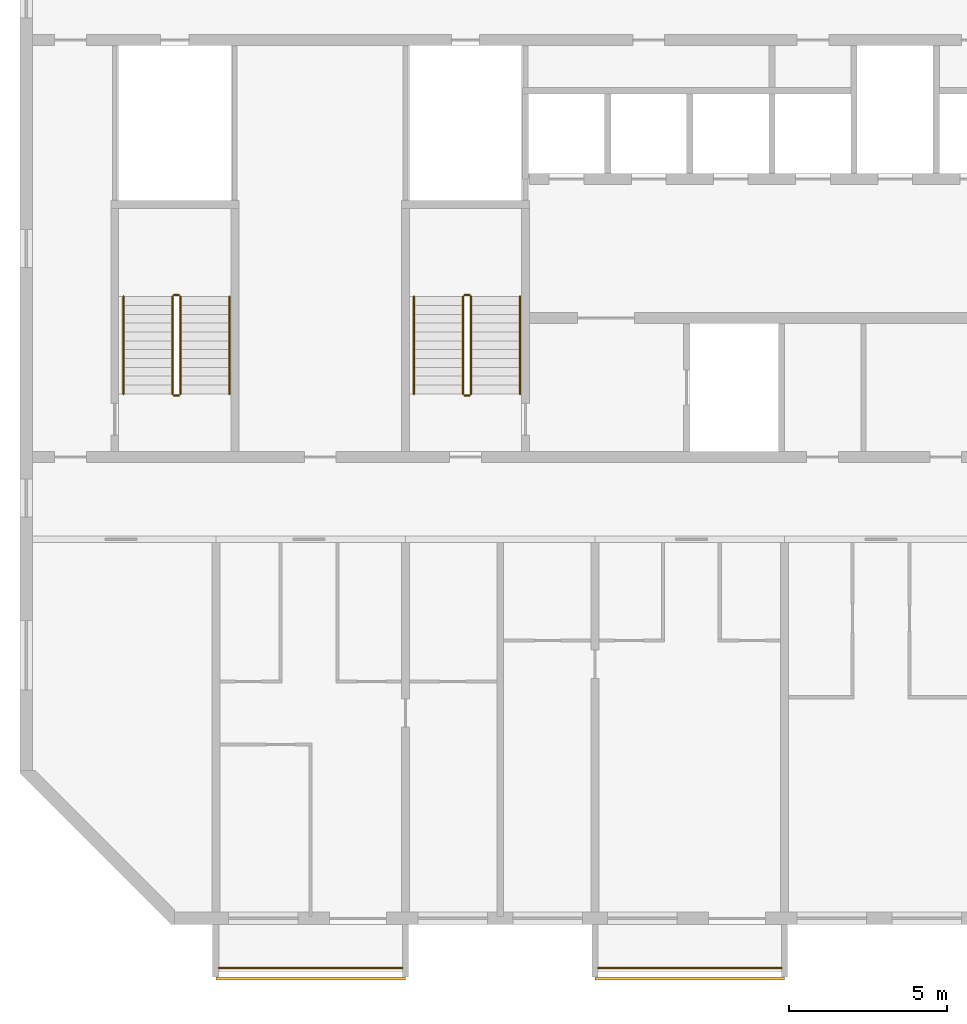
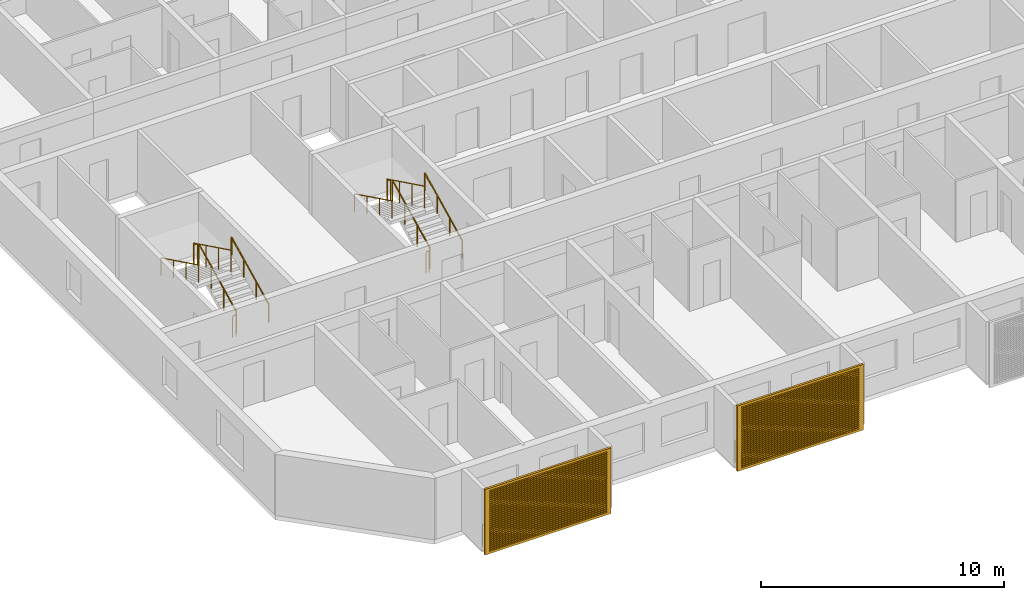
# One storey, part 13 of 27: 14 railings, 2 shading devices.
"""IFC4 building model written with IfcOpenShell, lengths in metres."""

import ifcopenshell
import ifcopenshell.guid

model = None  # the IFC model being written
_history = None  # IfcOwnerHistory: only IFC2X3 demands one
_inside = {}  # id of a spatial element -> (the spatial element, [elements in it])
_under = {}  # id of a project, library or spatial element -> (it, [spatial elements below it])
_declared = {}  # id of a project -> (the project, [libraries it declares])
_typed = {}  # id of a type object -> (the type object, [elements of that type])
_made_of = {}  # id of a material, layer set ... -> (it, [elements and type objects made of it])


def new_model(schema):
    """Start an empty IFC model of exactly this schema.

    Asked for "IFC4X3", IfcOpenShell would pick the latest addendum, in which some entities
    have other attributes; the version numbers below select the first issue.
    IFC2X3 requires an IfcOwnerHistory on every rooted entity: one is made here for all.
    """
    global model, _history
    if schema == "IFC4X3":
        model = ifcopenshell.file(schema_version=(4, 3, 0, 0))
    else:
        model = ifcopenshell.file(schema=schema)
    _inside.clear()
    _under.clear()
    _declared.clear()
    _typed.clear()
    _made_of.clear()
    _history = None
    if model.schema == "IFC2X3":
        org = make("IfcOrganization", Name="unknown")
        user = make(
            "IfcPersonAndOrganization",
            ThePerson=make("IfcPerson", FamilyName="unknown"),
            TheOrganization=org,
        )
        app = make(
            "IfcApplication",
            ApplicationDeveloper=org,
            Version="unknown",
            ApplicationFullName="unknown",
            ApplicationIdentifier="unknown",
        )
        _history = make(
            "IfcOwnerHistory",
            OwningUser=user,
            OwningApplication=app,
            ChangeAction="ADDED",
            CreationDate=0,
        )
    return model


def make(cls, **values):
    """One entity of the class cls with the attributes given. An attribute that is None is left unset."""
    return model.create_entity(
        cls, **{name: value for name, value in values.items() if value is not None}
    )


def rooted(cls, **values):
    """An entity with a GlobalId (a new one), such as an element, a storey or a relation."""
    return make(cls, GlobalId=ifcopenshell.guid.new(), OwnerHistory=_history, **values)


def si_unit(unit_type, name, prefix=None):
    """IfcSIUnit, for example si_unit("LENGTHUNIT", "METRE", prefix="MILLI")."""
    return make("IfcSIUnit", UnitType=unit_type, Prefix=prefix, Name=name)


def assignment(units):
    """IfcUnitAssignment: the units of a project."""
    return None if units is None else make("IfcUnitAssignment", Units=units)


def point(xyz):
    """IfcCartesianPoint."""
    return None if xyz is None else make("IfcCartesianPoint", Coordinates=xyz)


def direction(xyz):
    """IfcDirection."""
    return None if xyz is None else make("IfcDirection", DirectionRatios=xyz)


def frame(location, z_axis=None, x_axis=None):
    """IfcAxis2Placement3D, a coordinate frame: its origin and axes. An axis left out is left unset."""
    return make(
        "IfcAxis2Placement3D",
        Location=point(location),
        Axis=direction(z_axis),
        RefDirection=direction(x_axis),
    )


def frame_2d(location, x_axis=None):
    """IfcAxis2Placement2D, a coordinate frame in the plane: its origin and x axis."""
    return make(
        "IfcAxis2Placement2D", Location=point(location), RefDirection=direction(x_axis)
    )


def origin():
    """The frame at (0, 0, 0) with its axes left unset."""
    return frame((0.0, 0.0, 0.0))


def origin_2d():
    """The frame at (0, 0) in the plane with its x axis left unset."""
    return frame_2d((0.0, 0.0))


def place(relative_to, where):
    """IfcLocalPlacement: puts the frame where relative to a parent placement (None: the world)."""
    return make(
        "IfcLocalPlacement", PlacementRelTo=relative_to, RelativePlacement=where
    )


def context(
    kind, dimensions, precision=None, world=None, true_north=None, identifier=None
):
    """IfcGeometricRepresentationContext, for example the 3D "Model" context."""
    return make(
        "IfcGeometricRepresentationContext",
        ContextIdentifier=identifier,
        ContextType=kind,
        CoordinateSpaceDimension=dimensions,
        Precision=precision,
        WorldCoordinateSystem=world,
        TrueNorth=true_north,
    )


def subcontext(parent, identifier, kind, view, scale=None):
    """IfcGeometricRepresentationSubContext, for example "Body" below "Model"."""
    return make(
        "IfcGeometricRepresentationSubContext",
        ContextIdentifier=identifier,
        ContextType=kind,
        ParentContext=parent,
        TargetScale=scale,
        TargetView=view,
    )


def project(units=None, contexts=None):
    """IfcProject with its units and contexts."""
    return rooted(
        "IfcProject",
        Name="project",
        RepresentationContexts=contexts,
        UnitsInContext=assignment(units),
    )


def spatial(cls, under=None, at=None, **own):
    """A site, building, storey or space (cls), placed at a placement, below another one or the project."""
    s = rooted(cls, ObjectPlacement=at, **own)
    if under is not None:
        _under.setdefault(under.id(), (under, []))[1].append(s)
    return s


def polyline(points):
    """IfcPolyline through the points."""
    return make("IfcPolyline", Points=[point(p) for p in points])


def profile(cls, at=None, kind="AREA", **sizes):
    """A parametric profile (cls). Its sizes go by their IFC names, for example OverallWidth=200.0."""
    return make(cls, ProfileType=kind, Position=at, **sizes)


def circle(**sizes):
    """IfcCircleProfileDef."""
    return profile("IfcCircleProfileDef", **sizes)


def outline(outer, holes=None, kind="AREA"):
    """IfcArbitraryClosedProfileDef: a profile drawn as a closed curve; with holes, ...WithVoids."""
    if holes is None:
        return make("IfcArbitraryClosedProfileDef", ProfileType=kind, OuterCurve=outer)
    return make(
        "IfcArbitraryProfileDefWithVoids",
        ProfileType=kind,
        OuterCurve=outer,
        InnerCurves=holes,
    )


def extrude(swept, where, along, depth):
    """IfcExtrudedAreaSolid: the profile swept, set in the frame where, extruded along a direction by depth."""
    return make(
        "IfcExtrudedAreaSolid",
        SweptArea=swept,
        Position=where,
        ExtrudedDirection=direction(along),
        Depth=depth,
    )


def shape(context_of_items, identifier, shape_type, items):
    """IfcShapeRepresentation: the items that make up one representation, for example the "Body"."""
    return make(
        "IfcShapeRepresentation",
        ContextOfItems=context_of_items,
        RepresentationIdentifier=identifier,
        RepresentationType=shape_type,
        Items=items,
    )


def source(mapping_origin, context_of_items, identifier, shape_type, items):
    """IfcRepresentationMap: a shape defined once, which mapped items show again and again."""
    return make(
        "IfcRepresentationMap",
        MappingOrigin=mapping_origin,
        MappedRepresentation=shape(context_of_items, identifier, shape_type, items),
    )


def transform(
    local_origin,
    x_axis=None,
    y_axis=None,
    z_axis=None,
    scale=None,
    scale2=None,
    scale3=None,
    uniform=True,
):
    """IfcCartesianTransformationOperator3D, or its non-uniform kind. x_axis, y_axis, z_axis: its Axis1, 2, 3."""
    if uniform:
        return make(
            "IfcCartesianTransformationOperator3D",
            Axis1=direction(x_axis),
            Axis2=direction(y_axis),
            LocalOrigin=point(local_origin),
            Scale=scale,
            Axis3=direction(z_axis),
        )
    return make(
        "IfcCartesianTransformationOperator3DnonUniform",
        Axis1=direction(x_axis),
        Axis2=direction(y_axis),
        LocalOrigin=point(local_origin),
        Scale=scale,
        Axis3=direction(z_axis),
        Scale2=scale2,
        Scale3=scale3,
    )


def mapped(mapping_source, mapping_target):
    """IfcMappedItem: shows the shape of a source again, moved by a transform."""
    return make(
        "IfcMappedItem", MappingSource=mapping_source, MappingTarget=mapping_target
    )


def material(Name=None, Category=None):
    """IfcMaterial."""
    return make("IfcMaterial", Name=Name, Category=Category)


def material_profile(
    of_material, cross_section, Name=None, Category=None, Priority=None
):
    """IfcMaterialProfile: a cross section and its material."""
    return make(
        "IfcMaterialProfile",
        Name=Name,
        Material=of_material,
        Profile=cross_section,
        Priority=Priority,
        Category=Category,
    )


def profile_set(profiles, Name=None, composite=None):
    """IfcMaterialProfileSet."""
    return make(
        "IfcMaterialProfileSet",
        Name=Name,
        MaterialProfiles=profiles,
        CompositeProfile=composite,
    )


def made_of(thing, what):
    """Note that an element or type object is made of a material, layer set ...; save() writes the relation."""
    if what is not None:
        _made_of.setdefault(what.id(), (what, []))[1].append(thing)
    return thing


def type_object(cls, material=None, **own):
    """A type object (cls), such as IfcWallType, which elements share."""
    return made_of(rooted(cls, **own), material)


def element(
    cls,
    number,
    at=None,
    inside=None,
    cuts=None,
    type_object=None,
    material=None,
    context=None,
    identifier="Body",
    shape_type=None,
    held_by="IfcProductDefinitionShape",
    body=None,
    shapes=None,
    **own,
):
    """One element of the class cls, such as IfcWall. Its Tag is "e" and its number.

    at: its placement. inside: the storey or other place that contains it. cuts: it is an
    opening in that element (IfcRelVoidsElement). A single representation is given by context,
    identifier, shape_type and body (its items); several are given by shapes. held_by: the class
    of the entity that holds the representations. save() writes the other relations.
    """
    e = rooted(cls, Tag="e%d" % number, ObjectPlacement=at, **own)
    if body is not None:
        shapes = [shape(context, identifier, shape_type, body)]
    if shapes is not None:
        e.Representation = make(held_by, Representations=shapes)
    if inside is not None:
        _inside.setdefault(inside.id(), (inside, []))[1].append(e)
    if cuts is not None:
        rooted(
            "IfcRelVoidsElement", RelatingBuildingElement=cuts, RelatedOpeningElement=e
        )
    if type_object is not None:
        _typed.setdefault(type_object.id(), (type_object, []))[1].append(e)
    return made_of(e, material)


def aggregate(whole, parts):
    """IfcRelAggregates: a whole, such as a stair, and the parts it consists of."""
    return rooted("IfcRelAggregates", RelatingObject=whole, RelatedObjects=parts)


def save(model, path):
    """Write the relations noted so far, then the file.

    IfcRelAggregates (storeys below a building ...), IfcRelContainedInSpatialStructure (elements
    in a storey), IfcRelDefinesByType, IfcRelAssociatesMaterial and IfcRelDeclares: one each for
    every whole, place, type object, material and project.
    """
    for whole, parts in _under.values():
        aggregate(whole, parts)
    for where, things in _inside.values():
        rooted(
            "IfcRelContainedInSpatialStructure",
            RelatedElements=things,
            RelatingStructure=where,
        )
    for kind, things in _typed.values():
        rooted("IfcRelDefinesByType", RelatedObjects=things, RelatingType=kind)
    for what, things in _made_of.values():
        rooted("IfcRelAssociatesMaterial", RelatedObjects=things, RelatingMaterial=what)
    for by, libraries in _declared.values():
        rooted("IfcRelDeclares", RelatingContext=by, RelatedDefinitions=libraries)
    model.write(path)


model = new_model("IFC4")

# Units and contexts
model_context = context("Model", 3, precision=1e-05, world=origin(), true_north=direction((0.0, 1.0)))
body_context = subcontext(model_context, "Body", "Model", "MODEL_VIEW")
ifc_project = project(units=[si_unit("LENGTHUNIT", "METRE"), si_unit("AREAUNIT", "SQUARE_METRE"), si_unit("VOLUMEUNIT", "CUBIC_METRE"), si_unit("PLANEANGLEUNIT", "RADIAN"), si_unit("MASSUNIT", "GRAM", prefix="KILO")], contexts=[model_context])

# Site, building, storey
site_placement = place(None, origin())
site = spatial("IfcSite", under=ifc_project, at=site_placement, CompositionType="ELEMENT")
building_placement = place(site_placement, origin())
building = spatial("IfcBuilding", under=site, at=building_placement, Name="Poui Terraces", CompositionType="ELEMENT")
storey_placement = place(building_placement, frame((0.0, 0.0, 254.39990234375)))
storey = spatial("IfcBuildingStorey", under=building, at=storey_placement, Name="L71", CompositionType="ELEMENT", Elevation=254.39990234375)

# Railings
ifc_material_1 = material(Name="Painted steel fretwork", Category="steel")
railing_type_1 = type_object("IfcRailingType", Name="BALCONY GUARD 1100", PredefinedType="GUARDRAIL", material=ifc_material_1)
for number, where, name in (
    (1, (24.10009765625, -1.570068359375, 0.0), "BALCONY GUARD"),
    (2, (36.10009765625, -1.570068359375, 0.0), "BALCONY GUARD"),
):
    element("IfcRailing", number, at=place(storey_placement, frame(where)), inside=storey, type_object=railing_type_1, Name=name, PredefinedType="GUARDRAIL", context=body_context, shape_type="SweptSolid", body=[
        extrude(circle(Radius=0.02392578125, at=origin_2d()), frame((0.0, 0.0, 1.076171875), z_axis=(1.0, 0.0, 0.0), x_axis=(0.0, 1.0, 0.0)), (0.0, 0.0, 1.0), 5.7998046875),
        extrude(circle(Radius=0.02099609375, at=origin_2d()), origin(), (0.0, 0.0, 1.0), 1.052001953125),
        extrude(circle(Radius=0.02099609375, at=origin_2d()), frame((0.966552734375, 0.0, 0.0)), (0.0, 0.0, 1.0), 1.052001953125),
        extrude(circle(Radius=0.02099609375, at=origin_2d()), frame((1.933349609375, 0.0, 0.0)), (0.0, 0.0, 1.0), 1.052001953125),
        extrude(circle(Radius=0.02099609375, at=origin_2d()), frame((2.89990234375, 0.0, 0.0)), (0.0, 0.0, 1.0), 1.052001953125),
        extrude(circle(Radius=0.02099609375, at=origin_2d()), frame((3.866455078125, 0.0, 0.0)), (0.0, 0.0, 1.0), 1.052001953125),
        extrude(circle(Radius=0.02099609375, at=origin_2d()), frame((4.833251953125, 0.0, 0.0)), (0.0, 0.0, 1.0), 1.052001953125),
        extrude(circle(Radius=0.02099609375, at=origin_2d()), frame((5.7998046875, 0.0, 0.0)), (0.0, 0.0, 1.0), 1.052001953125),
    ])
ifc_material_2 = material(Name="Galvanised steel balustrade", Category="steel")
railing_type_2 = type_object("IfcRailingType", Name="STAIR GUARD 1100", PredefinedType="GUARDRAIL", material=ifc_material_2)
railing_1_placement = place(storey_placement, frame((32.074951171875, 16.60009765625, 0.1376953125)))
element("IfcRailing", 3, at=railing_1_placement, inside=storey, type_object=railing_type_2, Name="L71 ST-CW stair guard 1", PredefinedType="GUARDRAIL", context=body_context, shape_type="SweptSolid", body=[
    extrude(circle(Radius=0.02392578125, at=origin_2d()), frame((0.0, 0.0, 1.076171875), z_axis=(0.0, 0.897606190399, 0.440798283751), x_axis=(-1.0, 0.0, 0.0)), (0.0, 0.0, 1.0), 3.43115234375),
    extrude(circle(Radius=0.02099609375, at=origin_2d()), origin(), (0.0, 0.0, 1.0), 1.052001953125),
    extrude(circle(Radius=0.02099609375, at=origin_2d()), frame((0.0, 1.026611328125, 0.504150390625)), (0.0, 0.0, 1.0), 1.052001953125),
    extrude(circle(Radius=0.02099609375, at=origin_2d()), frame((0.0, 2.05322265625, 1.00830078125)), (0.0, 0.0, 1.0), 1.052001953125),
    extrude(circle(Radius=0.02099609375, at=origin_2d()), frame((0.0, 3.079833984375, 1.512451171875)), (0.0, 0.0, 1.0), 1.052001953125),
])
railing_2_placement = place(storey_placement, frame((32.02490234375, 19.72998046875, 1.650146484375)))
element("IfcRailing", 4, at=railing_2_placement, inside=storey, type_object=railing_type_2, Name="L71 ST-CW stair guard 2", PredefinedType="GUARDRAIL", context=body_context, shape_type="SweptSolid", body=[
    extrude(circle(Radius=0.02392578125, at=origin_2d()), frame((0.0, 0.0, 1.076171875), z_axis=(-1.0, 0.0, 0.0), x_axis=(0.0, -1.0, 0.0)), (0.0, 0.0, 1.0), 0.14990234375),
    extrude(circle(Radius=0.02099609375, at=origin_2d()), origin(), (0.0, 0.0, 1.0), 1.052001953125),
    extrude(circle(Radius=0.02099609375, at=origin_2d()), frame((-0.14990234375, 0.0, 0.0)), (0.0, 0.0, 1.0), 1.052001953125),
])
railing_3_placement = place(storey_placement, frame((31.824951171875, 19.679931640625, 1.78759765625)))
element("IfcRailing", 5, at=railing_3_placement, inside=storey, type_object=railing_type_2, Name="L71 ST-CW stair guard 3", PredefinedType="GUARDRAIL", context=body_context, shape_type="SweptSolid", body=[
    extrude(circle(Radius=0.02392578125, at=origin_2d()), frame((0.0, 0.0, 1.076171875), z_axis=(0.0, -0.897606190399, 0.440798283751), x_axis=(1.0, 0.0, 0.0)), (0.0, 0.0, 1.0), 3.43115234375),
    extrude(circle(Radius=0.02099609375, at=origin_2d()), origin(), (0.0, 0.0, 1.0), 1.052001953125),
    extrude(circle(Radius=0.02099609375, at=origin_2d()), frame((0.0, -1.026611328125, 0.504150390625)), (0.0, 0.0, 1.0), 1.052001953125),
    extrude(circle(Radius=0.02099609375, at=origin_2d()), frame((0.0, -2.05322265625, 1.00830078125)), (0.0, 0.0, 1.0), 1.052001953125),
    extrude(circle(Radius=0.02099609375, at=origin_2d()), frame((0.0, -3.079833984375, 1.512451171875)), (0.0, 0.0, 1.0), 1.052001953125),
])
railing_4_placement = place(storey_placement, frame((32.02490234375, 16.550048828125, 0.0)))
element("IfcRailing", 6, at=railing_4_placement, inside=storey, type_object=railing_type_2, Name="L71 ST-CW stair guard 4", PredefinedType="GUARDRAIL", context=body_context, shape_type="SweptSolid", body=[
    extrude(circle(Radius=0.02392578125, at=origin_2d()), frame((0.0, 0.0, 1.076171875), z_axis=(-1.0, 0.0, 0.0), x_axis=(0.0, -1.0, 0.0)), (0.0, 0.0, 1.0), 0.14990234375),
    extrude(circle(Radius=0.02099609375, at=origin_2d()), origin(), (0.0, 0.0, 1.0), 1.052001953125),
    extrude(circle(Radius=0.02099609375, at=origin_2d()), frame((-0.14990234375, 0.0, 0.0)), (0.0, 0.0, 1.0), 1.052001953125),
])
railing_5_placement = place(storey_placement, frame((22.875, 16.60009765625, 0.1376953125)))
element("IfcRailing", 7, at=railing_5_placement, inside=storey, type_object=railing_type_2, Name="L71 ST-W stair guard 1", PredefinedType="GUARDRAIL", context=body_context, shape_type="SweptSolid", body=[
    extrude(circle(Radius=0.02392578125, at=origin_2d()), frame((0.0, 0.0, 1.076171875), z_axis=(0.0, 0.897606190399, 0.440798283751), x_axis=(-1.0, 0.0, 0.0)), (0.0, 0.0, 1.0), 3.43115234375),
    extrude(circle(Radius=0.02099609375, at=origin_2d()), origin(), (0.0, 0.0, 1.0), 1.052001953125),
    extrude(circle(Radius=0.02099609375, at=origin_2d()), frame((0.0, 1.026611328125, 0.504150390625)), (0.0, 0.0, 1.0), 1.052001953125),
    extrude(circle(Radius=0.02099609375, at=origin_2d()), frame((0.0, 2.05322265625, 1.00830078125)), (0.0, 0.0, 1.0), 1.052001953125),
    extrude(circle(Radius=0.02099609375, at=origin_2d()), frame((0.0, 3.079833984375, 1.512451171875)), (0.0, 0.0, 1.0), 1.052001953125),
])
railing_6_placement = place(storey_placement, frame((22.824951171875, 19.72998046875, 1.650146484375)))
element("IfcRailing", 8, at=railing_6_placement, inside=storey, type_object=railing_type_2, Name="L71 ST-W stair guard 2", PredefinedType="GUARDRAIL", context=body_context, shape_type="SweptSolid", body=[
    extrude(circle(Radius=0.02392578125, at=origin_2d()), frame((0.0, 0.0, 1.076171875), z_axis=(-1.0, 0.0, 0.0), x_axis=(0.0, -1.0, 0.0)), (0.0, 0.0, 1.0), 0.14990234375),
    extrude(circle(Radius=0.02099609375, at=origin_2d()), origin(), (0.0, 0.0, 1.0), 1.052001953125),
    extrude(circle(Radius=0.02099609375, at=origin_2d()), frame((-0.14990234375, 0.0, 0.0)), (0.0, 0.0, 1.0), 1.052001953125),
])
railing_7_placement = place(storey_placement, frame((22.625, 19.679931640625, 1.78759765625)))
element("IfcRailing", 9, at=railing_7_placement, inside=storey, type_object=railing_type_2, Name="L71 ST-W stair guard 3", PredefinedType="GUARDRAIL", context=body_context, shape_type="SweptSolid", body=[
    extrude(circle(Radius=0.02392578125, at=origin_2d()), frame((0.0, 0.0, 1.076171875), z_axis=(0.0, -0.897606190399, 0.440798283751), x_axis=(1.0, 0.0, 0.0)), (0.0, 0.0, 1.0), 3.43115234375),
    extrude(circle(Radius=0.02099609375, at=origin_2d()), origin(), (0.0, 0.0, 1.0), 1.052001953125),
    extrude(circle(Radius=0.02099609375, at=origin_2d()), frame((0.0, -1.026611328125, 0.504150390625)), (0.0, 0.0, 1.0), 1.052001953125),
    extrude(circle(Radius=0.02099609375, at=origin_2d()), frame((0.0, -2.05322265625, 1.00830078125)), (0.0, 0.0, 1.0), 1.052001953125),
    extrude(circle(Radius=0.02099609375, at=origin_2d()), frame((0.0, -3.079833984375, 1.512451171875)), (0.0, 0.0, 1.0), 1.052001953125),
])
railing_8_placement = place(storey_placement, frame((22.824951171875, 16.550048828125, 0.0)))
element("IfcRailing", 10, at=railing_8_placement, inside=storey, type_object=railing_type_2, Name="L71 ST-W stair guard 4", PredefinedType="GUARDRAIL", context=body_context, shape_type="SweptSolid", body=[
    extrude(circle(Radius=0.02392578125, at=origin_2d()), frame((0.0, 0.0, 1.076171875), z_axis=(-1.0, 0.0, 0.0), x_axis=(0.0, -1.0, 0.0)), (0.0, 0.0, 1.0), 0.14990234375),
    extrude(circle(Radius=0.02099609375, at=origin_2d()), origin(), (0.0, 0.0, 1.0), 1.052001953125),
    extrude(circle(Radius=0.02099609375, at=origin_2d()), frame((-0.14990234375, 0.0, 0.0)), (0.0, 0.0, 1.0), 1.052001953125),
])
ifc_material_3 = material(Name="Stainless steel handrail", Category="steel")
railing_type_3 = type_object("IfcRailingType", Name="STAIR HANDRAIL 900", PredefinedType="HANDRAIL", material=ifc_material_3)
railing_9_placement = place(storey_placement, frame((33.625, 16.60009765625, 0.1376953125)))
element("IfcRailing", 11, at=railing_9_placement, inside=storey, type_object=railing_type_3, Name="L71 ST-CW stair handrail 1", PredefinedType="HANDRAIL", context=body_context, shape_type="SweptSolid", body=[
    extrude(circle(Radius=0.02392578125, at=origin_2d()), frame((0.0, 0.0, 0.8759765625), z_axis=(0.0, 0.897606190399, 0.440798283751), x_axis=(-1.0, 0.0, 0.0)), (0.0, 0.0, 1.0), 3.43115234375),
    extrude(circle(Radius=0.02099609375, at=origin_2d()), origin(), (0.0, 0.0, 1.0), 0.851806640625),
    extrude(circle(Radius=0.02099609375, at=origin_2d()), frame((0.0, 1.026611328125, 0.504150390625)), (0.0, 0.0, 1.0), 0.851806640625),
    extrude(circle(Radius=0.02099609375, at=origin_2d()), frame((0.0, 2.05322265625, 1.00830078125)), (0.0, 0.0, 1.0), 0.851806640625),
    extrude(circle(Radius=0.02099609375, at=origin_2d()), frame((0.0, 3.079833984375, 1.512451171875)), (0.0, 0.0, 1.0), 0.851806640625),
])
railing_10_placement = place(storey_placement, frame((30.27490234375, 19.679931640625, 1.78759765625)))
element("IfcRailing", 12, at=railing_10_placement, inside=storey, type_object=railing_type_3, Name="L71 ST-CW stair handrail 2", PredefinedType="HANDRAIL", context=body_context, shape_type="SweptSolid", body=[
    extrude(circle(Radius=0.02392578125, at=origin_2d()), frame((0.0, 0.0, 0.8759765625), z_axis=(0.0, -0.897606190399, 0.440798283751), x_axis=(1.0, 0.0, 0.0)), (0.0, 0.0, 1.0), 3.43115234375),
    extrude(circle(Radius=0.02099609375, at=origin_2d()), origin(), (0.0, 0.0, 1.0), 0.851806640625),
    extrude(circle(Radius=0.02099609375, at=origin_2d()), frame((0.0, -1.026611328125, 0.504150390625)), (0.0, 0.0, 1.0), 0.851806640625),
    extrude(circle(Radius=0.02099609375, at=origin_2d()), frame((0.0, -2.05322265625, 1.00830078125)), (0.0, 0.0, 1.0), 0.851806640625),
    extrude(circle(Radius=0.02099609375, at=origin_2d()), frame((0.0, -3.079833984375, 1.512451171875)), (0.0, 0.0, 1.0), 0.851806640625),
])
railing_11_placement = place(storey_placement, frame((24.425048828125, 16.60009765625, 0.1376953125)))
element("IfcRailing", 13, at=railing_11_placement, inside=storey, type_object=railing_type_3, Name="L71 ST-W stair handrail 1", PredefinedType="HANDRAIL", context=body_context, shape_type="SweptSolid", body=[
    extrude(circle(Radius=0.02392578125, at=origin_2d()), frame((0.0, 0.0, 0.8759765625), z_axis=(0.0, 0.897606190399, 0.440798283751), x_axis=(-1.0, 0.0, 0.0)), (0.0, 0.0, 1.0), 3.43115234375),
    extrude(circle(Radius=0.02099609375, at=origin_2d()), origin(), (0.0, 0.0, 1.0), 0.851806640625),
    extrude(circle(Radius=0.02099609375, at=origin_2d()), frame((0.0, 1.026611328125, 0.504150390625)), (0.0, 0.0, 1.0), 0.851806640625),
    extrude(circle(Radius=0.02099609375, at=origin_2d()), frame((0.0, 2.05322265625, 1.00830078125)), (0.0, 0.0, 1.0), 0.851806640625),
    extrude(circle(Radius=0.02099609375, at=origin_2d()), frame((0.0, 3.079833984375, 1.512451171875)), (0.0, 0.0, 1.0), 0.851806640625),
])
railing_12_placement = place(storey_placement, frame((21.074951171875, 19.679931640625, 1.78759765625)))
element("IfcRailing", 14, at=railing_12_placement, inside=storey, type_object=railing_type_3, Name="L71 ST-W stair handrail 2", PredefinedType="HANDRAIL", context=body_context, shape_type="SweptSolid", body=[
    extrude(circle(Radius=0.02392578125, at=origin_2d()), frame((0.0, 0.0, 0.8759765625), z_axis=(0.0, -0.897606190399, 0.440798283751), x_axis=(1.0, 0.0, 0.0)), (0.0, 0.0, 1.0), 3.43115234375),
    extrude(circle(Radius=0.02099609375, at=origin_2d()), origin(), (0.0, 0.0, 1.0), 0.851806640625),
    extrude(circle(Radius=0.02099609375, at=origin_2d()), frame((0.0, -1.026611328125, 0.504150390625)), (0.0, 0.0, 1.0), 0.851806640625),
    extrude(circle(Radius=0.02099609375, at=origin_2d()), frame((0.0, -2.05322265625, 1.00830078125)), (0.0, 0.0, 1.0), 0.851806640625),
    extrude(circle(Radius=0.02099609375, at=origin_2d()), frame((0.0, -3.079833984375, 1.512451171875)), (0.0, 0.0, 1.0), 0.851806640625),
])

# Shading devices
ifc_material_4 = material(Name="Aluminium louvre", Category="aluminium")
ifc_material_profile = material_profile(ifc_material_4, outline(polyline([(-3.0, -1.64990234375), (3.0, -1.64990234375), (3.0, 1.64990234375), (-3.0, 1.64990234375), (-3.0, -1.64990234375)]), holes=[polyline([(-2.800048828125, -1.530029296875), (2.800048828125, -1.530029296875), (2.800048828125, -1.469970703125), (-2.800048828125, -1.469970703125), (-2.800048828125, -1.530029296875)]), polyline([(-2.800048828125, -1.429931640625), (2.800048828125, -1.429931640625), (2.800048828125, -1.3701171875), (-2.800048828125, -1.3701171875), (-2.800048828125, -1.429931640625)]), polyline([(-2.800048828125, -1.330078125), (2.800048828125, -1.330078125), (2.800048828125, -1.27001953125), (-2.800048828125, -1.27001953125), (-2.800048828125, -1.330078125)]), polyline([(-2.800048828125, -1.22998046875), (2.800048828125, -1.22998046875), (2.800048828125, -1.169921875), (-2.800048828125, -1.169921875), (-2.800048828125, -1.22998046875)]), polyline([(-2.800048828125, -1.1298828125), (2.800048828125, -1.1298828125), (2.800048828125, -1.070068359375), (-2.800048828125, -1.070068359375), (-2.800048828125, -1.1298828125)]), polyline([(-2.800048828125, -1.030029296875), (2.800048828125, -1.030029296875), (2.800048828125, -0.969970703125), (-2.800048828125, -0.969970703125), (-2.800048828125, -1.030029296875)]), polyline([(-2.800048828125, -0.929931640625), (2.800048828125, -0.929931640625), (2.800048828125, -0.8701171875), (-2.800048828125, -0.8701171875), (-2.800048828125, -0.929931640625)]), polyline([(-2.800048828125, -0.830078125), (2.800048828125, -0.830078125), (2.800048828125, -0.77001953125), (-2.800048828125, -0.77001953125), (-2.800048828125, -0.830078125)]), polyline([(-2.800048828125, -0.72998046875), (2.800048828125, -0.72998046875), (2.800048828125, -0.669921875), (-2.800048828125, -0.669921875), (-2.800048828125, -0.72998046875)]), polyline([(-2.800048828125, -0.6298828125), (2.800048828125, -0.6298828125), (2.800048828125, -0.570068359375), (-2.800048828125, -0.570068359375), (-2.800048828125, -0.6298828125)]), polyline([(-2.800048828125, -0.530029296875), (2.800048828125, -0.530029296875), (2.800048828125, -0.469970703125), (-2.800048828125, -0.469970703125), (-2.800048828125, -0.530029296875)]), polyline([(-2.800048828125, -0.429931640625), (2.800048828125, -0.429931640625), (2.800048828125, -0.3701171875), (-2.800048828125, -0.3701171875), (-2.800048828125, -0.429931640625)]), polyline([(-2.800048828125, -0.330078125), (2.800048828125, -0.330078125), (2.800048828125, -0.27001953125), (-2.800048828125, -0.27001953125), (-2.800048828125, -0.330078125)]), polyline([(-2.800048828125, -0.22998046875), (2.800048828125, -0.22998046875), (2.800048828125, -0.169921875), (-2.800048828125, -0.169921875), (-2.800048828125, -0.22998046875)]), polyline([(-2.800048828125, -0.1298828125), (2.800048828125, -0.1298828125), (2.800048828125, -0.070068359375), (-2.800048828125, -0.070068359375), (-2.800048828125, -0.1298828125)]), polyline([(-2.800048828125, -0.030029296875), (2.800048828125, -0.030029296875), (2.800048828125, 0.030029296875), (-2.800048828125, 0.030029296875), (-2.800048828125, -0.030029296875)]), polyline([(-2.800048828125, 0.070068359375), (2.800048828125, 0.070068359375), (2.800048828125, 0.1298828125), (-2.800048828125, 0.1298828125), (-2.800048828125, 0.070068359375)]), polyline([(-2.800048828125, 0.169921875), (2.800048828125, 0.169921875), (2.800048828125, 0.22998046875), (-2.800048828125, 0.22998046875), (-2.800048828125, 0.169921875)]), polyline([(-2.800048828125, 0.27001953125), (2.800048828125, 0.27001953125), (2.800048828125, 0.330078125), (-2.800048828125, 0.330078125), (-2.800048828125, 0.27001953125)]), polyline([(-2.800048828125, 0.3701171875), (2.800048828125, 0.3701171875), (2.800048828125, 0.429931640625), (-2.800048828125, 0.429931640625), (-2.800048828125, 0.3701171875)]), polyline([(-2.800048828125, 0.469970703125), (2.800048828125, 0.469970703125), (2.800048828125, 0.530029296875), (-2.800048828125, 0.530029296875), (-2.800048828125, 0.469970703125)]), polyline([(-2.800048828125, 0.570068359375), (2.800048828125, 0.570068359375), (2.800048828125, 0.6298828125), (-2.800048828125, 0.6298828125), (-2.800048828125, 0.570068359375)]), polyline([(-2.800048828125, 0.669921875), (2.800048828125, 0.669921875), (2.800048828125, 0.72998046875), (-2.800048828125, 0.72998046875), (-2.800048828125, 0.669921875)]), polyline([(-2.800048828125, 0.77001953125), (2.800048828125, 0.77001953125), (2.800048828125, 0.830078125), (-2.800048828125, 0.830078125), (-2.800048828125, 0.77001953125)]), polyline([(-2.800048828125, 0.8701171875), (2.800048828125, 0.8701171875), (2.800048828125, 0.929931640625), (-2.800048828125, 0.929931640625), (-2.800048828125, 0.8701171875)]), polyline([(-2.800048828125, 0.969970703125), (2.800048828125, 0.969970703125), (2.800048828125, 1.030029296875), (-2.800048828125, 1.030029296875), (-2.800048828125, 0.969970703125)]), polyline([(-2.800048828125, 1.070068359375), (2.800048828125, 1.070068359375), (2.800048828125, 1.1298828125), (-2.800048828125, 1.1298828125), (-2.800048828125, 1.070068359375)]), polyline([(-2.800048828125, 1.169921875), (2.800048828125, 1.169921875), (2.800048828125, 1.22998046875), (-2.800048828125, 1.22998046875), (-2.800048828125, 1.169921875)]), polyline([(-2.800048828125, 1.27001953125), (2.800048828125, 1.27001953125), (2.800048828125, 1.330078125), (-2.800048828125, 1.330078125), (-2.800048828125, 1.27001953125)]), polyline([(-2.800048828125, 1.3701171875), (2.800048828125, 1.3701171875), (2.800048828125, 1.429931640625), (-2.800048828125, 1.429931640625), (-2.800048828125, 1.3701171875)]), polyline([(-2.800048828125, 1.469970703125), (2.800048828125, 1.469970703125), (2.800048828125, 1.530029296875), (-2.800048828125, 1.530029296875), (-2.800048828125, 1.469970703125)])]), Name="JALOUSIE LOUVRE SHUTTER 6000X3300")
ifc_profile_set = profile_set([ifc_material_profile], Name="Aluminium louvre")
shading_device_type = type_object("IfcShadingDeviceType", Name="JALOUSIE LOUVRE SHUTTER 6000X3300", PredefinedType="JALOUSIE", material=ifc_profile_set)
shared_shape = source(origin(), body_context, "Body", "SweptSolid", [
    extrude(outline(polyline([(-3.0, -1.64990234375), (3.0, -1.64990234375), (3.0, 1.64990234375), (-3.0, 1.64990234375), (-3.0, -1.64990234375)]), holes=[polyline([(-2.800048828125, -1.530029296875), (2.800048828125, -1.530029296875), (2.800048828125, -1.469970703125), (-2.800048828125, -1.469970703125), (-2.800048828125, -1.530029296875)]), polyline([(-2.800048828125, -1.429931640625), (2.800048828125, -1.429931640625), (2.800048828125, -1.3701171875), (-2.800048828125, -1.3701171875), (-2.800048828125, -1.429931640625)]), polyline([(-2.800048828125, -1.330078125), (2.800048828125, -1.330078125), (2.800048828125, -1.27001953125), (-2.800048828125, -1.27001953125), (-2.800048828125, -1.330078125)]), polyline([(-2.800048828125, -1.22998046875), (2.800048828125, -1.22998046875), (2.800048828125, -1.169921875), (-2.800048828125, -1.169921875), (-2.800048828125, -1.22998046875)]), polyline([(-2.800048828125, -1.1298828125), (2.800048828125, -1.1298828125), (2.800048828125, -1.070068359375), (-2.800048828125, -1.070068359375), (-2.800048828125, -1.1298828125)]), polyline([(-2.800048828125, -1.030029296875), (2.800048828125, -1.030029296875), (2.800048828125, -0.969970703125), (-2.800048828125, -0.969970703125), (-2.800048828125, -1.030029296875)]), polyline([(-2.800048828125, -0.929931640625), (2.800048828125, -0.929931640625), (2.800048828125, -0.8701171875), (-2.800048828125, -0.8701171875), (-2.800048828125, -0.929931640625)]), polyline([(-2.800048828125, -0.830078125), (2.800048828125, -0.830078125), (2.800048828125, -0.77001953125), (-2.800048828125, -0.77001953125), (-2.800048828125, -0.830078125)]), polyline([(-2.800048828125, -0.72998046875), (2.800048828125, -0.72998046875), (2.800048828125, -0.669921875), (-2.800048828125, -0.669921875), (-2.800048828125, -0.72998046875)]), polyline([(-2.800048828125, -0.6298828125), (2.800048828125, -0.6298828125), (2.800048828125, -0.570068359375), (-2.800048828125, -0.570068359375), (-2.800048828125, -0.6298828125)]), polyline([(-2.800048828125, -0.530029296875), (2.800048828125, -0.530029296875), (2.800048828125, -0.469970703125), (-2.800048828125, -0.469970703125), (-2.800048828125, -0.530029296875)]), polyline([(-2.800048828125, -0.429931640625), (2.800048828125, -0.429931640625), (2.800048828125, -0.3701171875), (-2.800048828125, -0.3701171875), (-2.800048828125, -0.429931640625)]), polyline([(-2.800048828125, -0.330078125), (2.800048828125, -0.330078125), (2.800048828125, -0.27001953125), (-2.800048828125, -0.27001953125), (-2.800048828125, -0.330078125)]), polyline([(-2.800048828125, -0.22998046875), (2.800048828125, -0.22998046875), (2.800048828125, -0.169921875), (-2.800048828125, -0.169921875), (-2.800048828125, -0.22998046875)]), polyline([(-2.800048828125, -0.1298828125), (2.800048828125, -0.1298828125), (2.800048828125, -0.070068359375), (-2.800048828125, -0.070068359375), (-2.800048828125, -0.1298828125)]), polyline([(-2.800048828125, -0.030029296875), (2.800048828125, -0.030029296875), (2.800048828125, 0.030029296875), (-2.800048828125, 0.030029296875), (-2.800048828125, -0.030029296875)]), polyline([(-2.800048828125, 0.070068359375), (2.800048828125, 0.070068359375), (2.800048828125, 0.1298828125), (-2.800048828125, 0.1298828125), (-2.800048828125, 0.070068359375)]), polyline([(-2.800048828125, 0.169921875), (2.800048828125, 0.169921875), (2.800048828125, 0.22998046875), (-2.800048828125, 0.22998046875), (-2.800048828125, 0.169921875)]), polyline([(-2.800048828125, 0.27001953125), (2.800048828125, 0.27001953125), (2.800048828125, 0.330078125), (-2.800048828125, 0.330078125), (-2.800048828125, 0.27001953125)]), polyline([(-2.800048828125, 0.3701171875), (2.800048828125, 0.3701171875), (2.800048828125, 0.429931640625), (-2.800048828125, 0.429931640625), (-2.800048828125, 0.3701171875)]), polyline([(-2.800048828125, 0.469970703125), (2.800048828125, 0.469970703125), (2.800048828125, 0.530029296875), (-2.800048828125, 0.530029296875), (-2.800048828125, 0.469970703125)]), polyline([(-2.800048828125, 0.570068359375), (2.800048828125, 0.570068359375), (2.800048828125, 0.6298828125), (-2.800048828125, 0.6298828125), (-2.800048828125, 0.570068359375)]), polyline([(-2.800048828125, 0.669921875), (2.800048828125, 0.669921875), (2.800048828125, 0.72998046875), (-2.800048828125, 0.72998046875), (-2.800048828125, 0.669921875)]), polyline([(-2.800048828125, 0.77001953125), (2.800048828125, 0.77001953125), (2.800048828125, 0.830078125), (-2.800048828125, 0.830078125), (-2.800048828125, 0.77001953125)]), polyline([(-2.800048828125, 0.8701171875), (2.800048828125, 0.8701171875), (2.800048828125, 0.929931640625), (-2.800048828125, 0.929931640625), (-2.800048828125, 0.8701171875)]), polyline([(-2.800048828125, 0.969970703125), (2.800048828125, 0.969970703125), (2.800048828125, 1.030029296875), (-2.800048828125, 1.030029296875), (-2.800048828125, 0.969970703125)]), polyline([(-2.800048828125, 1.070068359375), (2.800048828125, 1.070068359375), (2.800048828125, 1.1298828125), (-2.800048828125, 1.1298828125), (-2.800048828125, 1.070068359375)]), polyline([(-2.800048828125, 1.169921875), (2.800048828125, 1.169921875), (2.800048828125, 1.22998046875), (-2.800048828125, 1.22998046875), (-2.800048828125, 1.169921875)]), polyline([(-2.800048828125, 1.27001953125), (2.800048828125, 1.27001953125), (2.800048828125, 1.330078125), (-2.800048828125, 1.330078125), (-2.800048828125, 1.27001953125)]), polyline([(-2.800048828125, 1.3701171875), (2.800048828125, 1.3701171875), (2.800048828125, 1.429931640625), (-2.800048828125, 1.429931640625), (-2.800048828125, 1.3701171875)]), polyline([(-2.800048828125, 1.469970703125), (2.800048828125, 1.469970703125), (2.800048828125, 1.530029296875), (-2.800048828125, 1.530029296875), (-2.800048828125, 1.469970703125)])]), origin(), (0.0, 0.0, 1.0), 0.099853515625),
])
for number, where, z_axis, x_axis, name in (
    (15, (27.0, -1.85009765625, 1.4501953125), (0.0, -1.0, 0.0), (1.0, 0.0, 0.0), "JALOUSIE LOUVRE SHUTTER"),
    (16, (39.0, -1.85009765625, 1.4501953125), (0.0, -1.0, 0.0), (1.0, 0.0, 0.0), "JALOUSIE LOUVRE SHUTTER"),
):
    element("IfcShadingDevice", number, at=place(storey_placement, frame(where, z_axis=z_axis, x_axis=x_axis)), inside=storey, type_object=shading_device_type, Name=name, PredefinedType="JALOUSIE", context=body_context, shape_type="MappedRepresentation", body=[
        mapped(shared_shape, transform((0.0, 0.0, 0.0))),
    ])

save(model, "model.ifc")
